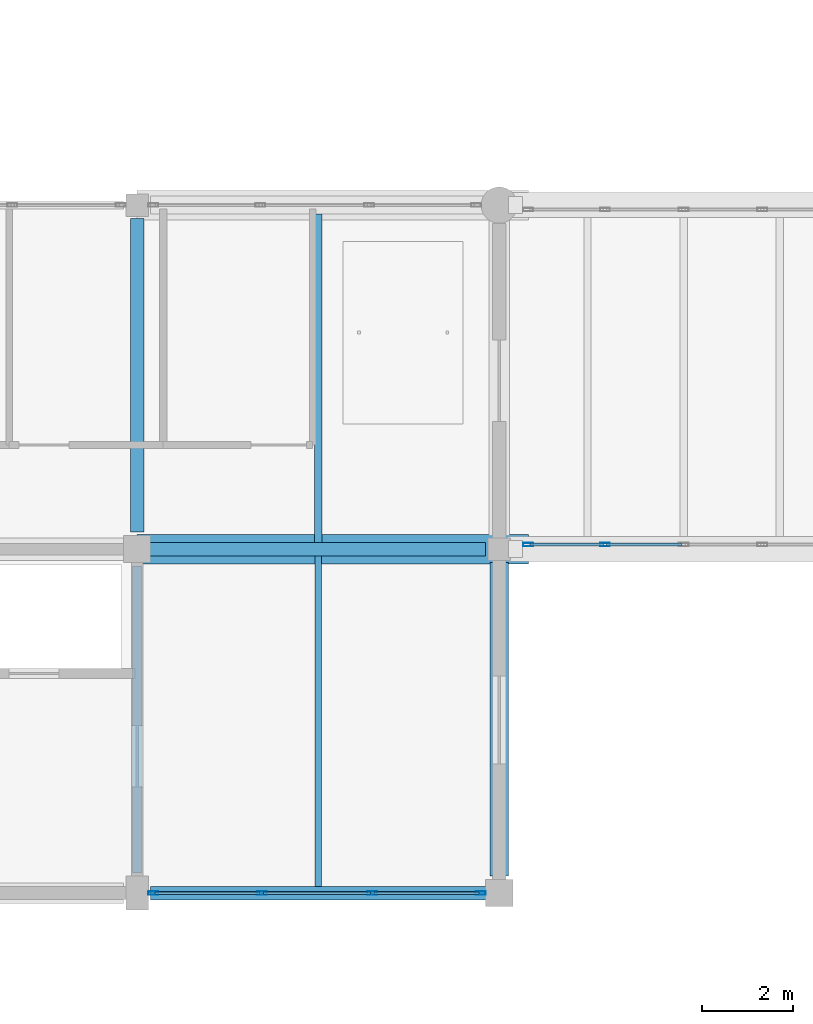
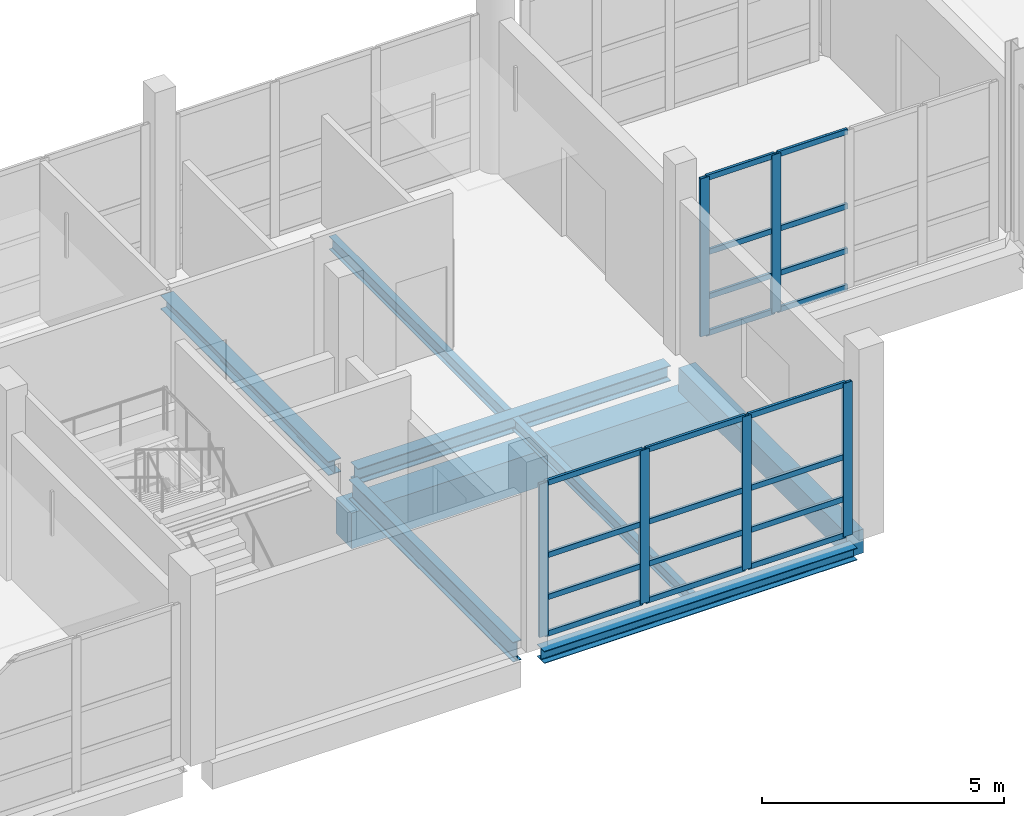
# One storey, part 43 of 141: 26 members, 8 beams, 2 elements without a shape of their own.
"""IFC4 building model written with IfcOpenShell, lengths in metres."""

from ifc_helpers import new_model, si_unit, direction, frame, origin, origin_2d, place, context, subcontext, project, spatial, rectangle, hollow_rectangle, i_section, extrude, material, material_profile, profile_set, type_object, element, aggregate, save


model = new_model("IFC4")

# Units and contexts
model_context = context("Model", 3, precision=1e-05, world=origin(), true_north=direction((0.0, 1.0)))
body_context = subcontext(model_context, "Body", "Model", "MODEL_VIEW")
ifc_project = project(units=[si_unit("LENGTHUNIT", "METRE"), si_unit("AREAUNIT", "SQUARE_METRE"), si_unit("VOLUMEUNIT", "CUBIC_METRE"), si_unit("PLANEANGLEUNIT", "RADIAN"), si_unit("MASSUNIT", "GRAM", prefix="KILO")], contexts=[model_context])

# Site, building, storey
site_placement = place(None, origin())
site = spatial("IfcSite", under=ifc_project, at=site_placement, CompositionType="ELEMENT")
building_placement = place(site_placement, origin())
building = spatial("IfcBuilding", under=site, at=building_placement, Name="Khelvaren Railside Concert Hall", CompositionType="ELEMENT")
storey_placement = place(building_placement, frame((0.0, 0.0, 10.199951171875)))
storey = spatial("IfcBuildingStorey", under=building, at=storey_placement, Name="L02", CompositionType="ELEMENT", Elevation=10.199951171875)

# Beams
ifc_material_1 = material(Name="Concrete C40/50", Category="concrete")
ifc_material_profile_1 = material_profile(ifc_material_1, rectangle(XDim=0.64990234375, YDim=0.89990234375, at=origin_2d()), Name="RCB 650x900")
ifc_profile_set_1 = profile_set([ifc_material_profile_1], Name="Concrete C40/50")
beam_type_1 = type_object("IfcBeamType", Name="BM18", PredefinedType="BEAM", material=ifc_profile_set_1)
beam_1_placement = place(storey_placement, frame((128.0, 7.60009765625, -1.659912109375), z_axis=(1.0, 0.0, 0.0), x_axis=(0.0, 1.0, 0.0)))
element("IfcBeam", 1, at=beam_1_placement, inside=storey, type_object=beam_type_1, Name="East Rehearsal Link Bridge L02 Seismic Corbel Seat 1", PredefinedType="BEAM", context=body_context, shape_type="SweptSolid", body=[
    extrude(rectangle(XDim=0.64990234375, YDim=0.89990234375, at=origin_2d()), origin(), (0.0, 0.0, 1.0), 8.64990234375),
])
ifc_material_2 = material(Name="Steel S355", Category="steel")
ifc_material_profile_2 = material_profile(ifc_material_2, i_section(OverallWidth=0.300048828125, OverallDepth=0.389892578125, WebThickness=0.010986328125, FlangeThickness=0.01904296875, FilletRadius=0.027099609375, at=origin_2d()), Name="HEA 400")
ifc_profile_set_2 = profile_set([ifc_material_profile_2], Name="Steel S355")
beam_type_2 = type_object("IfcBeamType", Name="BM23", PredefinedType="BEAM", material=ifc_profile_set_2)
beam_2_placement = place(storey_placement, frame((128.25, 7.60009765625, -0.48486328125), z_axis=(1.0, 0.0, 0.0), x_axis=(0.0, 1.0, 0.0)))
element("IfcBeam", 2, at=beam_2_placement, inside=storey, type_object=beam_type_2, Name="V3 L02 Beam X2.9", PredefinedType="BEAM", context=body_context, shape_type="SweptSolid", body=[
    extrude(i_section(OverallWidth=0.300048828125, OverallDepth=0.389892578125, WebThickness=0.010986328125, FlangeThickness=0.01904296875, FilletRadius=0.027099609375, at=origin_2d()), origin(), (0.0, 0.0, 1.0), 7.449951171875),
])
ifc_material_profile_3 = material_profile(ifc_material_2, i_section(OverallWidth=0.199951171875, OverallDepth=0.5, WebThickness=0.01025390625, FlangeThickness=0.01611328125, FilletRadius=0.02099609375, at=origin_2d()), Name="IPE 500")
ifc_profile_set_3 = profile_set([ifc_material_profile_3], Name="Steel S355")
beam_type_3 = type_object("IfcBeamType", Name="BM62", PredefinedType="BEAM", material=ifc_profile_set_3)
beam_3_placement = place(storey_placement, frame((128.0, 0.449951171875, -0.5400390625), z_axis=(0.0, 1.0, 0.0), x_axis=(-1.0, 0.0, 0.0)))
element("IfcBeam", 3, at=beam_3_placement, inside=storey, type_object=beam_type_3, Name="V3 L02 Beam Y9.1", PredefinedType="BEAM", context=body_context, shape_type="SweptSolid", body=[
    extrude(i_section(OverallWidth=0.199951171875, OverallDepth=0.5, WebThickness=0.01025390625, FlangeThickness=0.01611328125, FilletRadius=0.02099609375, at=origin_2d()), origin(), (0.0, 0.0, 1.0), 6.775146484375),
])
ifc_material_profile_4 = material_profile(ifc_material_2, i_section(OverallWidth=0.300048828125, OverallDepth=0.35009765625, WebThickness=0.010009765625, FlangeThickness=0.017578125, FilletRadius=0.027099609375, at=origin_2d()), Name="HEA 360")
ifc_profile_set_4 = profile_set([ifc_material_profile_4], Name="Steel S355")
beam_type_4 = type_object("IfcBeamType", Name="BM73", PredefinedType="BEAM", material=ifc_profile_set_4)
beam_4_placement = place(storey_placement, frame((128.0, 7.97509765625, -0.46484375), z_axis=(0.0, 1.0, 0.0), x_axis=(-1.0, 0.0, 0.0)))
element("IfcBeam", 4, at=beam_4_placement, inside=storey, type_object=beam_type_4, Name="V3 L02 Beam Y9.2", PredefinedType="BEAM", context=body_context, shape_type="SweptSolid", body=[
    extrude(i_section(OverallWidth=0.300048828125, OverallDepth=0.35009765625, WebThickness=0.010009765625, FlangeThickness=0.017578125, FilletRadius=0.027099609375, at=origin_2d()), origin(), (0.0, 0.0, 1.0), 6.9248046875),
])

# Curtain wall, members
ifc_material_3 = material(Name="Double-glazed clear foyer glass", Category="glass")
curtain_wall_type_1 = type_object("IfcCurtainWallType", Name="CW68", PredefinedType="USERDEFINED", material=ifc_material_3)
curtain_wall_1_placement = place(storey_placement, origin())
curtain_wall_1 = element("IfcCurtainWall", 5, at=curtain_wall_1_placement, inside=storey, type_object=curtain_wall_type_1, Name="Unitised Curtain Wall CW-V3-L02-S-128", ObjectType="UNITISED CURTAIN WALL", PredefinedType="USERDEFINED")
ifc_material_4 = material(Name="Anodised architectural aluminium 6063-T6", Category="aluminium")
ifc_material_profile_5 = material_profile(ifc_material_4, hollow_rectangle(XDim=0.074951171875, YDim=0.219970703125, WallThickness=0.0048828125, InnerFilletRadius=0.0029296875, OuterFilletRadius=0.0048828125, at=origin_2d()), Name="CWM 75x220x5")
ifc_profile_set_5 = profile_set([ifc_material_profile_5], Name="Anodised architectural aluminium 6063-T6")
member_type_1 = type_object("IfcMemberType", Name="CWM13", PredefinedType="MULLION", material=ifc_profile_set_5)
member_1_placement = place(storey_placement, frame((135.590087890625, 0.0, 0.0), z_axis=(0.0, 0.0, 1.0), x_axis=(0.0, -1.0, 0.0)))
member_1 = element("IfcMember", 6, at=member_1_placement, type_object=member_type_1, Name="CW68 mullion 1", PredefinedType="MULLION", context=body_context, shape_type="SweptSolid", body=[
    extrude(hollow_rectangle(XDim=0.074951171875, YDim=0.219970703125, WallThickness=0.0048828125, InnerFilletRadius=0.0029296875, OuterFilletRadius=0.0048828125, at=origin_2d()), origin(), (0.0, 0.0, 1.0), 3.860107421875),
])
member_2_placement = place(storey_placement, frame((133.1923828125, 0.0, 0.0), z_axis=(0.0, 0.0, 1.0), x_axis=(0.0, -1.0, 0.0)))
member_2 = element("IfcMember", 7, at=member_2_placement, type_object=member_type_1, Name="CW68 mullion 2", PredefinedType="MULLION", context=body_context, shape_type="SweptSolid", body=[
    extrude(hollow_rectangle(XDim=0.074951171875, YDim=0.219970703125, WallThickness=0.0048828125, InnerFilletRadius=0.0029296875, OuterFilletRadius=0.0048828125, at=origin_2d()), origin(), (0.0, 0.0, 1.0), 3.860107421875),
])
member_3_placement = place(storey_placement, frame((130.757568359375, 0.0, 0.0), z_axis=(0.0, 0.0, 1.0), x_axis=(0.0, -1.0, 0.0)))
member_3 = element("IfcMember", 8, at=member_3_placement, type_object=member_type_1, Name="CW68 mullion 3", PredefinedType="MULLION", context=body_context, shape_type="SweptSolid", body=[
    extrude(hollow_rectangle(XDim=0.074951171875, YDim=0.219970703125, WallThickness=0.0048828125, InnerFilletRadius=0.0029296875, OuterFilletRadius=0.0048828125, at=origin_2d()), origin(), (0.0, 0.0, 1.0), 3.860107421875),
])
member_4_placement = place(storey_placement, frame((128.360107421875, 0.0, 0.0), z_axis=(0.0, 0.0, 1.0), x_axis=(0.0, -1.0, 0.0)))
member_4 = element("IfcMember", 9, at=member_4_placement, type_object=member_type_1, Name="CW68 mullion 4", PredefinedType="MULLION", context=body_context, shape_type="SweptSolid", body=[
    extrude(hollow_rectangle(XDim=0.074951171875, YDim=0.219970703125, WallThickness=0.0048828125, InnerFilletRadius=0.0029296875, OuterFilletRadius=0.0048828125, at=origin_2d()), origin(), (0.0, 0.0, 1.0), 3.860107421875),
])

curtain_wall_type_2 = type_object("IfcCurtainWallType", Name="CW47", PredefinedType="USERDEFINED", material=ifc_material_3)
curtain_wall_2_placement = place(storey_placement, origin())
curtain_wall_2 = element("IfcCurtainWall", 10, at=curtain_wall_2_placement, inside=storey, type_object=curtain_wall_type_2, Name="Unitised Curtain Wall CW-LB2-L02-S", ObjectType="UNITISED CURTAIN WALL", PredefinedType="USERDEFINED")
member_5_placement = place(storey_placement, frame((138.33740234375, 7.699951171875, 0.0), z_axis=(0.0, 0.0, 1.0), x_axis=(0.0, -1.0, 0.0)))
member_5 = element("IfcMember", 11, at=member_5_placement, type_object=member_type_1, Name="CW47 mullion 4", PredefinedType="MULLION", context=body_context, shape_type="SweptSolid", body=[
    extrude(hollow_rectangle(XDim=0.074951171875, YDim=0.219970703125, WallThickness=0.0048828125, InnerFilletRadius=0.0029296875, OuterFilletRadius=0.0048828125, at=origin_2d()), origin(), (0.0, 0.0, 1.0), 3.97998046875),
])
member_6_placement = place(storey_placement, frame((136.637451171875, 7.699951171875, 0.0), z_axis=(0.0, 0.0, 1.0), x_axis=(0.0, -1.0, 0.0)))
member_6 = element("IfcMember", 12, at=member_6_placement, type_object=member_type_1, Name="CW47 mullion 5", PredefinedType="MULLION", context=body_context, shape_type="SweptSolid", body=[
    extrude(hollow_rectangle(XDim=0.074951171875, YDim=0.219970703125, WallThickness=0.0048828125, InnerFilletRadius=0.0029296875, OuterFilletRadius=0.0048828125, at=origin_2d()), origin(), (0.0, 0.0, 1.0), 3.97998046875),
])

# Member
ifc_material_profile_6 = material_profile(ifc_material_4, hollow_rectangle(XDim=0.06494140625, YDim=0.139892578125, WallThickness=0.00390625, InnerFilletRadius=0.001953125, OuterFilletRadius=0.00390625, at=origin_2d()), Name="CWT 65x140x4")
ifc_profile_set_6 = profile_set([ifc_material_profile_6], Name="Anodised architectural aluminium 6063-T6")
member_type_2 = type_object("IfcMemberType", Name="CWT72", PredefinedType="USERDEFINED", material=ifc_profile_set_6)
member_7_placement = place(storey_placement, frame((135.552490234375, 0.0, 0.032470703125), z_axis=(-1.0, 0.0, 0.0), x_axis=(0.0, -1.0, 0.0)))
member_7 = element("IfcMember", 13, at=member_7_placement, type_object=member_type_2, Name="CW68 transom 1.1", ObjectType="TRANSOM", PredefinedType="USERDEFINED", context=body_context, shape_type="SweptSolid", body=[
    extrude(hollow_rectangle(XDim=0.06494140625, YDim=0.139892578125, WallThickness=0.00390625, InnerFilletRadius=0.001953125, OuterFilletRadius=0.00390625, at=origin_2d()), origin(), (0.0, 0.0, 1.0), 2.322509765625),
])

member_8_placement = place(storey_placement, frame((135.552490234375, 0.0, 0.949951171875), z_axis=(-1.0, 0.0, 0.0), x_axis=(0.0, -1.0, 0.0)))
member_8 = element("IfcMember", 14, at=member_8_placement, type_object=member_type_2, Name="CW68 transom 1.2", ObjectType="TRANSOM", PredefinedType="USERDEFINED", context=body_context, shape_type="SweptSolid", body=[
    extrude(hollow_rectangle(XDim=0.06494140625, YDim=0.139892578125, WallThickness=0.00390625, InnerFilletRadius=0.001953125, OuterFilletRadius=0.00390625, at=origin_2d()), origin(), (0.0, 0.0, 1.0), 2.322509765625),
])

member_9_placement = place(storey_placement, frame((135.552490234375, 0.0, 2.00732421875), z_axis=(-1.0, 0.0, 0.0), x_axis=(0.0, -1.0, 0.0)))
member_9 = element("IfcMember", 15, at=member_9_placement, type_object=member_type_2, Name="CW68 transom 1.3", ObjectType="TRANSOM", PredefinedType="USERDEFINED", context=body_context, shape_type="SweptSolid", body=[
    extrude(hollow_rectangle(XDim=0.06494140625, YDim=0.139892578125, WallThickness=0.00390625, InnerFilletRadius=0.001953125, OuterFilletRadius=0.00390625, at=origin_2d()), origin(), (0.0, 0.0, 1.0), 2.322509765625),
])

member_10_placement = place(storey_placement, frame((135.552490234375, 0.0, 3.82763671875), z_axis=(-1.0, 0.0, 0.0), x_axis=(0.0, -1.0, 0.0)))
member_10 = element("IfcMember", 16, at=member_10_placement, type_object=member_type_2, Name="CW68 transom 1.4", ObjectType="TRANSOM", PredefinedType="USERDEFINED", context=body_context, shape_type="SweptSolid", body=[
    extrude(hollow_rectangle(XDim=0.06494140625, YDim=0.139892578125, WallThickness=0.00390625, InnerFilletRadius=0.001953125, OuterFilletRadius=0.00390625, at=origin_2d()), origin(), (0.0, 0.0, 1.0), 2.322509765625),
])

member_11_placement = place(storey_placement, frame((133.155029296875, 0.0, 0.032470703125), z_axis=(-1.0, 0.0, 0.0), x_axis=(0.0, -1.0, 0.0)))
member_11 = element("IfcMember", 17, at=member_11_placement, type_object=member_type_2, Name="CW68 transom 2.1", ObjectType="TRANSOM", PredefinedType="USERDEFINED", context=body_context, shape_type="SweptSolid", body=[
    extrude(hollow_rectangle(XDim=0.06494140625, YDim=0.139892578125, WallThickness=0.00390625, InnerFilletRadius=0.001953125, OuterFilletRadius=0.00390625, at=origin_2d()), origin(), (0.0, 0.0, 1.0), 2.360107421875),
])

member_12_placement = place(storey_placement, frame((133.155029296875, 0.0, 0.949951171875), z_axis=(-1.0, 0.0, 0.0), x_axis=(0.0, -1.0, 0.0)))
member_12 = element("IfcMember", 18, at=member_12_placement, type_object=member_type_2, Name="CW68 transom 2.2", ObjectType="TRANSOM", PredefinedType="USERDEFINED", context=body_context, shape_type="SweptSolid", body=[
    extrude(hollow_rectangle(XDim=0.06494140625, YDim=0.139892578125, WallThickness=0.00390625, InnerFilletRadius=0.001953125, OuterFilletRadius=0.00390625, at=origin_2d()), origin(), (0.0, 0.0, 1.0), 2.360107421875),
])

member_13_placement = place(storey_placement, frame((133.155029296875, 0.0, 2.00732421875), z_axis=(-1.0, 0.0, 0.0), x_axis=(0.0, -1.0, 0.0)))
member_13 = element("IfcMember", 19, at=member_13_placement, type_object=member_type_2, Name="CW68 transom 2.3", ObjectType="TRANSOM", PredefinedType="USERDEFINED", context=body_context, shape_type="SweptSolid", body=[
    extrude(hollow_rectangle(XDim=0.06494140625, YDim=0.139892578125, WallThickness=0.00390625, InnerFilletRadius=0.001953125, OuterFilletRadius=0.00390625, at=origin_2d()), origin(), (0.0, 0.0, 1.0), 2.360107421875),
])

member_14_placement = place(storey_placement, frame((133.155029296875, 0.0, 3.82763671875), z_axis=(-1.0, 0.0, 0.0), x_axis=(0.0, -1.0, 0.0)))
member_14 = element("IfcMember", 20, at=member_14_placement, type_object=member_type_2, Name="CW68 transom 2.4", ObjectType="TRANSOM", PredefinedType="USERDEFINED", context=body_context, shape_type="SweptSolid", body=[
    extrude(hollow_rectangle(XDim=0.06494140625, YDim=0.139892578125, WallThickness=0.00390625, InnerFilletRadius=0.001953125, OuterFilletRadius=0.00390625, at=origin_2d()), origin(), (0.0, 0.0, 1.0), 2.360107421875),
])

member_15_placement = place(storey_placement, frame((130.719970703125, 0.0, 0.032470703125), z_axis=(-1.0, 0.0, 0.0), x_axis=(0.0, -1.0, 0.0)))
member_15 = element("IfcMember", 21, at=member_15_placement, type_object=member_type_2, Name="CW68 transom 3.1", ObjectType="TRANSOM", PredefinedType="USERDEFINED", context=body_context, shape_type="SweptSolid", body=[
    extrude(hollow_rectangle(XDim=0.06494140625, YDim=0.139892578125, WallThickness=0.00390625, InnerFilletRadius=0.001953125, OuterFilletRadius=0.00390625, at=origin_2d()), origin(), (0.0, 0.0, 1.0), 2.322509765625),
])

member_16_placement = place(storey_placement, frame((130.719970703125, 0.0, 0.949951171875), z_axis=(-1.0, 0.0, 0.0), x_axis=(0.0, -1.0, 0.0)))
member_16 = element("IfcMember", 22, at=member_16_placement, type_object=member_type_2, Name="CW68 transom 3.2", ObjectType="TRANSOM", PredefinedType="USERDEFINED", context=body_context, shape_type="SweptSolid", body=[
    extrude(hollow_rectangle(XDim=0.06494140625, YDim=0.139892578125, WallThickness=0.00390625, InnerFilletRadius=0.001953125, OuterFilletRadius=0.00390625, at=origin_2d()), origin(), (0.0, 0.0, 1.0), 2.322509765625),
])

member_17_placement = place(storey_placement, frame((130.719970703125, 0.0, 2.00732421875), z_axis=(-1.0, 0.0, 0.0), x_axis=(0.0, -1.0, 0.0)))
member_17 = element("IfcMember", 23, at=member_17_placement, type_object=member_type_2, Name="CW68 transom 3.3", ObjectType="TRANSOM", PredefinedType="USERDEFINED", context=body_context, shape_type="SweptSolid", body=[
    extrude(hollow_rectangle(XDim=0.06494140625, YDim=0.139892578125, WallThickness=0.00390625, InnerFilletRadius=0.001953125, OuterFilletRadius=0.00390625, at=origin_2d()), origin(), (0.0, 0.0, 1.0), 2.322509765625),
])

member_18_placement = place(storey_placement, frame((130.719970703125, 0.0, 3.82763671875), z_axis=(-1.0, 0.0, 0.0), x_axis=(0.0, -1.0, 0.0)))
member_18 = element("IfcMember", 24, at=member_18_placement, type_object=member_type_2, Name="CW68 transom 3.4", ObjectType="TRANSOM", PredefinedType="USERDEFINED", context=body_context, shape_type="SweptSolid", body=[
    extrude(hollow_rectangle(XDim=0.06494140625, YDim=0.139892578125, WallThickness=0.00390625, InnerFilletRadius=0.001953125, OuterFilletRadius=0.00390625, at=origin_2d()), origin(), (0.0, 0.0, 1.0), 2.322509765625),
])

aggregate(curtain_wall_1, [member_1, member_2, member_3, member_4, member_7, member_8, member_9, member_10, member_11, member_12, member_13, member_14, member_15, member_16, member_17, member_18])

member_19_placement = place(storey_placement, frame((140.03759765625, 7.699951171875, 0.032470703125), z_axis=(-1.0, 0.0, 0.0), x_axis=(0.0, -1.0, 0.0)))
member_19 = element("IfcMember", 25, at=member_19_placement, type_object=member_type_2, Name="CW47 transom 3.1", ObjectType="TRANSOM", PredefinedType="USERDEFINED", context=body_context, shape_type="SweptSolid", body=[
    extrude(hollow_rectangle(XDim=0.06494140625, YDim=0.139892578125, WallThickness=0.00390625, InnerFilletRadius=0.001953125, OuterFilletRadius=0.00390625, at=origin_2d()), origin(), (0.0, 0.0, 1.0), 1.66259765625),
])

member_20_placement = place(storey_placement, frame((140.03759765625, 7.699951171875, 0.949951171875), z_axis=(-1.0, 0.0, 0.0), x_axis=(0.0, -1.0, 0.0)))
member_20 = element("IfcMember", 26, at=member_20_placement, type_object=member_type_2, Name="CW47 transom 3.2", ObjectType="TRANSOM", PredefinedType="USERDEFINED", context=body_context, shape_type="SweptSolid", body=[
    extrude(hollow_rectangle(XDim=0.06494140625, YDim=0.139892578125, WallThickness=0.00390625, InnerFilletRadius=0.001953125, OuterFilletRadius=0.00390625, at=origin_2d()), origin(), (0.0, 0.0, 1.0), 1.66259765625),
])

member_21_placement = place(storey_placement, frame((140.03759765625, 7.699951171875, 2.069580078125), z_axis=(-1.0, 0.0, 0.0), x_axis=(0.0, -1.0, 0.0)))
member_21 = element("IfcMember", 27, at=member_21_placement, type_object=member_type_2, Name="CW47 transom 3.3", ObjectType="TRANSOM", PredefinedType="USERDEFINED", context=body_context, shape_type="SweptSolid", body=[
    extrude(hollow_rectangle(XDim=0.06494140625, YDim=0.139892578125, WallThickness=0.00390625, InnerFilletRadius=0.001953125, OuterFilletRadius=0.00390625, at=origin_2d()), origin(), (0.0, 0.0, 1.0), 1.66259765625),
])

member_22_placement = place(storey_placement, frame((140.03759765625, 7.699951171875, 3.947509765625), z_axis=(-1.0, 0.0, 0.0), x_axis=(0.0, -1.0, 0.0)))
member_22 = element("IfcMember", 28, at=member_22_placement, type_object=member_type_2, Name="CW47 transom 3.4", ObjectType="TRANSOM", PredefinedType="USERDEFINED", context=body_context, shape_type="SweptSolid", body=[
    extrude(hollow_rectangle(XDim=0.06494140625, YDim=0.139892578125, WallThickness=0.00390625, InnerFilletRadius=0.001953125, OuterFilletRadius=0.00390625, at=origin_2d()), origin(), (0.0, 0.0, 1.0), 1.66259765625),
])

member_23_placement = place(storey_placement, frame((138.300048828125, 7.699951171875, 0.032470703125), z_axis=(-1.0, 0.0, 0.0), x_axis=(0.0, -1.0, 0.0)))
member_23 = element("IfcMember", 29, at=member_23_placement, type_object=member_type_2, Name="CW47 transom 4.1", ObjectType="TRANSOM", PredefinedType="USERDEFINED", context=body_context, shape_type="SweptSolid", body=[
    extrude(hollow_rectangle(XDim=0.06494140625, YDim=0.139892578125, WallThickness=0.00390625, InnerFilletRadius=0.001953125, OuterFilletRadius=0.00390625, at=origin_2d()), origin(), (0.0, 0.0, 1.0), 1.625),
])

member_24_placement = place(storey_placement, frame((138.300048828125, 7.699951171875, 0.949951171875), z_axis=(-1.0, 0.0, 0.0), x_axis=(0.0, -1.0, 0.0)))
member_24 = element("IfcMember", 30, at=member_24_placement, type_object=member_type_2, Name="CW47 transom 4.2", ObjectType="TRANSOM", PredefinedType="USERDEFINED", context=body_context, shape_type="SweptSolid", body=[
    extrude(hollow_rectangle(XDim=0.06494140625, YDim=0.139892578125, WallThickness=0.00390625, InnerFilletRadius=0.001953125, OuterFilletRadius=0.00390625, at=origin_2d()), origin(), (0.0, 0.0, 1.0), 1.625),
])

member_25_placement = place(storey_placement, frame((138.300048828125, 7.699951171875, 2.069580078125), z_axis=(-1.0, 0.0, 0.0), x_axis=(0.0, -1.0, 0.0)))
member_25 = element("IfcMember", 31, at=member_25_placement, type_object=member_type_2, Name="CW47 transom 4.3", ObjectType="TRANSOM", PredefinedType="USERDEFINED", context=body_context, shape_type="SweptSolid", body=[
    extrude(hollow_rectangle(XDim=0.06494140625, YDim=0.139892578125, WallThickness=0.00390625, InnerFilletRadius=0.001953125, OuterFilletRadius=0.00390625, at=origin_2d()), origin(), (0.0, 0.0, 1.0), 1.625),
])

member_26_placement = place(storey_placement, frame((138.300048828125, 7.699951171875, 3.947509765625), z_axis=(-1.0, 0.0, 0.0), x_axis=(0.0, -1.0, 0.0)))
member_26 = element("IfcMember", 32, at=member_26_placement, type_object=member_type_2, Name="CW47 transom 4.4", ObjectType="TRANSOM", PredefinedType="USERDEFINED", context=body_context, shape_type="SweptSolid", body=[
    extrude(hollow_rectangle(XDim=0.06494140625, YDim=0.139892578125, WallThickness=0.00390625, InnerFilletRadius=0.001953125, OuterFilletRadius=0.00390625, at=origin_2d()), origin(), (0.0, 0.0, 1.0), 1.625),
])

aggregate(curtain_wall_2, [member_5, member_6, member_19, member_20, member_21, member_22, member_23, member_24, member_25, member_26])

# Beams
ifc_material_profile_7 = material_profile(ifc_material_2, i_section(OverallWidth=0.14990234375, OverallDepth=0.300048828125, WebThickness=0.007080078125, FlangeThickness=0.0107421875, FilletRadius=0.014892578125, at=origin_2d()), Name="IPE 300")
ifc_profile_set_7 = profile_set([ifc_material_profile_7], Name="Steel S355")
beam_type_5 = type_object("IfcBeamType", Name="JS26", PredefinedType="JOIST", material=ifc_profile_set_7)
beam_5_placement = place(storey_placement, frame((132.0, 0.14990234375, -0.43994140625), z_axis=(0.0, 1.0, 0.0), x_axis=(-1.0, 0.0, 0.0)))
element("IfcBeam", 33, at=beam_5_placement, inside=storey, type_object=beam_type_5, Name="V3 L02 Secondary Joist 9.1", PredefinedType="JOIST", context=body_context, shape_type="SweptSolid", body=[
    extrude(i_section(OverallWidth=0.14990234375, OverallDepth=0.300048828125, WebThickness=0.007080078125, FlangeThickness=0.0107421875, FilletRadius=0.014892578125, at=origin_2d()), origin(), (0.0, 0.0, 1.0), 7.300048828125),
])
ifc_material_profile_8 = material_profile(ifc_material_2, i_section(OverallWidth=0.159912109375, OverallDepth=0.330078125, WebThickness=0.007568359375, FlangeThickness=0.011474609375, FilletRadius=0.01806640625, at=origin_2d()), Name="IPE 330")
ifc_profile_set_8 = profile_set([ifc_material_profile_8], Name="Steel S355")
beam_type_6 = type_object("IfcBeamType", Name="JS65", PredefinedType="JOIST", material=ifc_profile_set_8)
beam_6_placement = place(storey_placement, frame((132.0, 7.75, -0.454833984375), z_axis=(0.0, 1.0, 0.0), x_axis=(-1.0, 0.0, 0.0)))
element("IfcBeam", 34, at=beam_6_placement, inside=storey, type_object=beam_type_6, Name="V3 L02 Secondary Joist 9.2", PredefinedType="JOIST", context=body_context, shape_type="SweptSolid", body=[
    extrude(i_section(OverallWidth=0.159912109375, OverallDepth=0.330078125, WebThickness=0.007568359375, FlangeThickness=0.011474609375, FilletRadius=0.01806640625, at=origin_2d()), origin(), (0.0, 0.0, 1.0), 7.25),
])
ifc_material_profile_9 = material_profile(ifc_material_2, i_section(OverallWidth=0.300048828125, OverallDepth=0.31005859375, WebThickness=0.009033203125, FlangeThickness=0.015380859375, FilletRadius=0.027099609375, at=origin_2d()), Name="HEA 320")
ifc_profile_set_9 = profile_set([ifc_material_profile_9], Name="Steel S355")
beam_type_7 = type_object("IfcBeamType", Name="SP66", PredefinedType="SPANDREL", material=ifc_profile_set_9)
beam_7_placement = place(storey_placement, frame((128.300048828125, 0.0, -0.445068359375), z_axis=(1.0, 0.0, 0.0), x_axis=(0.0, 1.0, 0.0)))
element("IfcBeam", 35, at=beam_7_placement, inside=storey, type_object=beam_type_7, Name="V3 L02 Spandrel X1.9", PredefinedType="SPANDREL", context=body_context, shape_type="SweptSolid", body=[
    extrude(i_section(OverallWidth=0.300048828125, OverallDepth=0.31005859375, WebThickness=0.009033203125, FlangeThickness=0.015380859375, FilletRadius=0.027099609375, at=origin_2d()), origin(), (0.0, 0.0, 1.0), 7.449951171875),
])
ifc_material_profile_10 = material_profile(ifc_material_1, rectangle(XDim=0.39990234375, YDim=0.60009765625, at=origin_2d()), Name="RCB 400x600")
ifc_profile_set_10 = profile_set([ifc_material_profile_10], Name="Concrete C40/50")
beam_type_8 = type_object("IfcBeamType", Name="SP75", PredefinedType="SPANDREL", material=ifc_profile_set_10)
beam_8_placement = place(storey_placement, frame((136.0, 0.375, -0.58984375), z_axis=(0.0, 1.0, 0.0), x_axis=(-1.0, 0.0, 0.0)))
element("IfcBeam", 36, at=beam_8_placement, inside=storey, type_object=beam_type_8, Name="V3 L02 Spandrel Y10.1", PredefinedType="SPANDREL", context=body_context, shape_type="SweptSolid", body=[
    extrude(rectangle(XDim=0.39990234375, YDim=0.60009765625, at=origin_2d()), origin(), (0.0, 0.0, 1.0), 6.925048828125),
])

save(model, "model.ifc")
